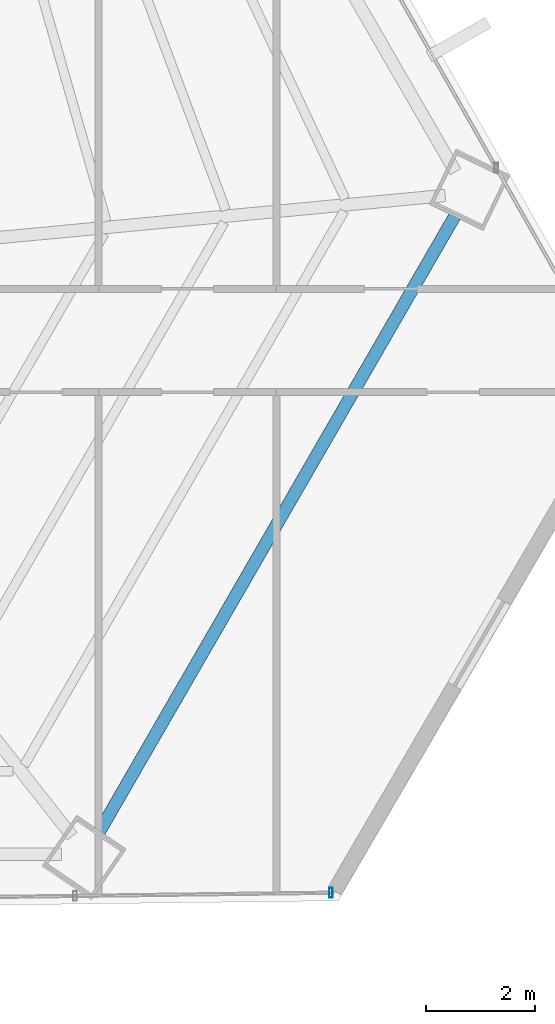
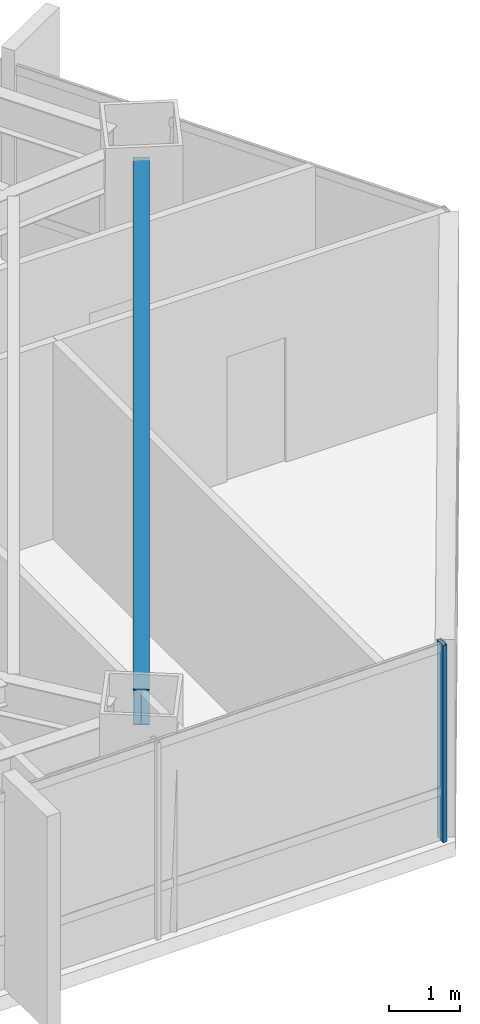
# One storey, part 18 of 37: 1 beam, 1 member, 1 element without a shape of its own.
"""IFC4 building model written with IfcOpenShell, lengths in metres."""

from ifc_helpers import new_model, si_unit, direction, frame, origin, origin_2d, place, context, subcontext, project, spatial, hollow_rectangle, i_section, extrude, source, transform, mapped, material, material_profile, profile_set, type_object, type_shapes, element, aggregate, save


model = new_model("IFC4")

# Units and contexts
model_context = context("Model", 3, precision=1e-05, world=origin(), true_north=direction((0.0, 1.0)))
body_context = subcontext(model_context, "Body", "Model", "MODEL_VIEW")
ifc_project = project(units=[si_unit("LENGTHUNIT", "METRE"), si_unit("AREAUNIT", "SQUARE_METRE"), si_unit("VOLUMEUNIT", "CUBIC_METRE"), si_unit("PLANEANGLEUNIT", "RADIAN"), si_unit("MASSUNIT", "GRAM", prefix="KILO")], contexts=[model_context])

# Site, building, storey
site_placement = place(None, origin())
site = spatial("IfcSite", under=ifc_project, at=site_placement, CompositionType="ELEMENT")
building_placement = place(site_placement, origin())
building = spatial("IfcBuilding", under=site, at=building_placement, Name="Caelisora Broadcast Tower", CompositionType="ELEMENT")
storey_placement = place(building_placement, frame((0.0, 0.0, 120.0)))
storey = spatial("IfcBuildingStorey", under=building, at=storey_placement, Name="L31", CompositionType="ELEMENT", Elevation=120.0)

# Beam
ifc_material_1 = material(Name="Steel Grade 350 (AS/NZS 3679.1)", Category="steel")
ifc_material_profile_1 = material_profile(ifc_material_1, i_section(OverallWidth=0.22900390625, OverallDepth=0.611572265625, WebThickness=0.011962890625, FlangeThickness=0.01953125, at=origin_2d()), Name="Steel Grade 350 (AS/NZS 3679.1)")
ifc_profile_set_1 = profile_set([ifc_material_profile_1], Name="Steel Grade 350 (AS/NZS 3679.1)")
beam_type = type_object("IfcBeamType", Name="PG03", PredefinedType="BEAM", material=ifc_profile_set_1)
shared_shape_1 = source(origin(), body_context, "Body", "SweptSolid", [
    extrude(i_section(OverallWidth=0.22900390625, OverallDepth=0.611572265625, WebThickness=0.011962890625, FlangeThickness=0.01953125, at=origin_2d()), origin(), (0.0, 0.0, 1.0), 13.1142578125),
])
type_shapes(beam_type, [shared_shape_1])
beam_placement = place(storey_placement, frame((54.156005859375, 7.100830078125, 3.09423828125), z_axis=(0.500003390455, 0.866023446295, 0.0), x_axis=(-0.866023446295, 0.500003390455, 0.0)))
element("IfcBeam", 1, at=beam_placement, inside=storey, type_object=beam_type, Name="L31 beam PG03", PredefinedType="BEAM", context=body_context, shape_type="MappedRepresentation", body=[
    mapped(shared_shape_1, transform((0.0, 0.0, 0.0), scale=1.0)),
])

# Curtain wall, member
ifc_material_2 = material(Name="Unitised Aluminium and Low-E Glass Curtain Wall", Category="glass")
curtain_wall_type = type_object("IfcCurtainWallType", Name="CW-Z2", PredefinedType="NOTDEFINED", material=ifc_material_2)
curtain_wall_placement = place(storey_placement, origin())
curtain_wall = element("IfcCurtainWall", 2, at=curtain_wall_placement, inside=storey, type_object=curtain_wall_type, Name="L31 curtain wall CW-Z2", PredefinedType="NOTDEFINED")
ifc_material_3 = material(Name="Aluminium 6063-T6 Anodised Terracotta Bronze", Category="aluminium")
ifc_material_profile_2 = material_profile(ifc_material_3, hollow_rectangle(XDim=0.06494140625, YDim=0.179931640625, WallThickness=0.00341796875, at=origin_2d()), Name="Aluminium 6063-T6 Anodised Terracotta Bronze")
ifc_profile_set_2 = profile_set([ifc_material_profile_2], Name="Aluminium 6063-T6 Anodised Terracotta Bronze")
member_type = type_object("IfcMemberType", Name="CWM-02", PredefinedType="MULLION", material=ifc_profile_set_2)
shared_shape_2 = source(origin(), body_context, "Body", "SweptSolid", [
    extrude(hollow_rectangle(XDim=0.06494140625, YDim=0.179931640625, WallThickness=0.00341796875, at=origin_2d()), origin(), (0.0, 0.0, 1.0), 3.39990234375),
])
type_shapes(member_type, [shared_shape_2])
member_placement = place(storey_placement, frame((58.423095703125, 5.994384765625, 0.0), z_axis=(0.0, 0.0, 1.0), x_axis=(1.0, 0.0, 0.0)))
member = element("IfcMember", 3, at=member_placement, type_object=member_type, Name="L31-CW-B05 mullion #0", PredefinedType="MULLION", context=body_context, shape_type="MappedRepresentation", body=[
    mapped(shared_shape_2, transform((0.0, 0.0, 0.0), scale=1.0)),
])
aggregate(curtain_wall, [member])

save(model, "model.ifc")
